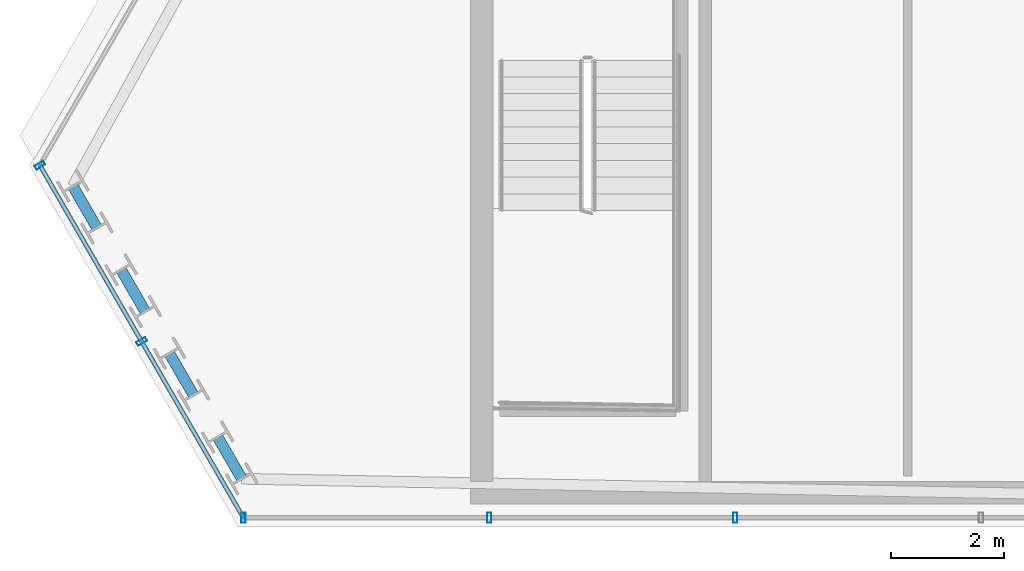
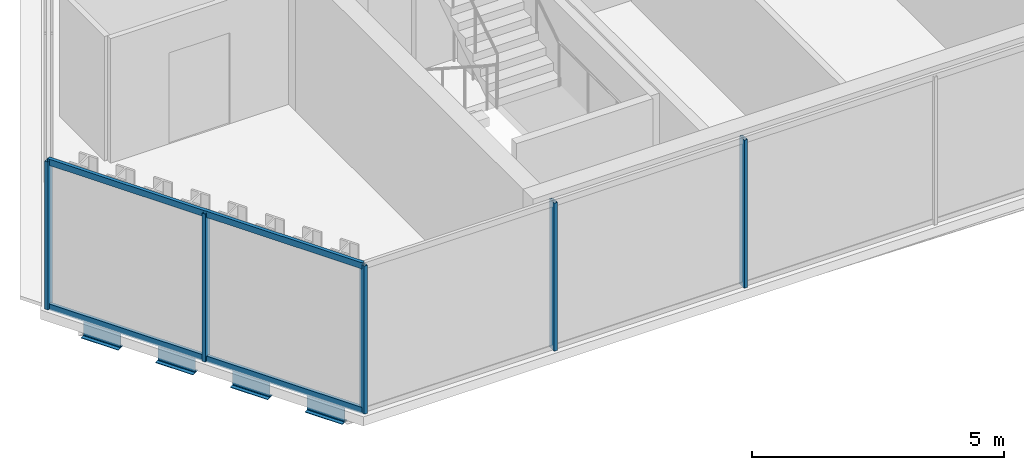
# One storey, part 2 of 29: 7 members, 4 beams, 2 elements without a shape of their own.
"""IFC4 building model written with IfcOpenShell, lengths in metres."""

from ifc_helpers import new_model, si_unit, direction, frame, origin, origin_2d, place, context, subcontext, project, spatial, hollow_rectangle, i_section, extrude, material, layer, layer_set, material_profile, profile_set, type_object, element, aggregate, save


model = new_model("IFC4")

# Units and contexts
model_context = context("Model", 3, precision=1e-05, world=origin(), true_north=direction((0.0, 1.0)))
body_context = subcontext(model_context, "Body", "Model", "MODEL_VIEW")
ifc_project = project(units=[si_unit("LENGTHUNIT", "METRE"), si_unit("AREAUNIT", "SQUARE_METRE"), si_unit("VOLUMEUNIT", "CUBIC_METRE"), si_unit("PLANEANGLEUNIT", "RADIAN"), si_unit("MASSUNIT", "GRAM", prefix="KILO")], contexts=[model_context])

# Site, building, storey
site_placement = place(None, origin())
site = spatial("IfcSite", under=ifc_project, at=site_placement, CompositionType="ELEMENT")
building_placement = place(site_placement, origin())
building = spatial("IfcBuilding", under=site, at=building_placement, Name="Ndaravel Arena Tower", CompositionType="ELEMENT")
storey_placement = place(building_placement, frame((0.0, 0.0, 229.39990234375)))
storey = spatial("IfcBuildingStorey", under=building, at=storey_placement, Name="L55", CompositionType="ELEMENT", Elevation=229.39990234375)

# Beams
ifc_material_1 = material(Name="Steel S355", Category="steel")
ifc_material_profile_1 = material_profile(ifc_material_1, i_section(OverallWidth=0.18994140625, OverallDepth=0.449951171875, WebThickness=0.009521484375, FlangeThickness=0.0146484375, FilletRadius=0.02099609375, at=origin_2d()), Name="IPE 450")
ifc_profile_set_1 = profile_set([ifc_material_profile_1], Name="Steel S355")
beam_type = type_object("IfcBeamType", Name="BM-SPAN-IPE450", PredefinedType="SPANDREL", material=ifc_profile_set_1)
for number, where, z_axis, x_axis, name in (
    (1, (19.41455078125, 11.025146484375, -0.44482421875), (0.5001680112, -0.86592838074, 0.0), (0.86592838074, 0.5001680112, 0.0), "L55 Perimeter Spandrel Beam SP-20"),
    (2, (20.268310546875, 9.54638671875, -0.44482421875), (0.5001680112, -0.86592838074, 0.0), (0.86592838074, 0.5001680112, 0.0), "L55 Perimeter Spandrel Beam SP-22"),
    (3, (21.1220703125, 8.06787109375, -0.44482421875), (0.499829718243, -0.866123693684, 0.0), (0.866123693684, 0.499829718243, 0.0), "L55 Perimeter Spandrel Beam SP-24"),
):
    element("IfcBeam", number, at=place(storey_placement, frame(where, z_axis=z_axis, x_axis=x_axis)), inside=storey, type_object=beam_type, Name=name, PredefinedType="SPANDREL", context=body_context, shape_type="SweptSolid", body=[
        extrude(i_section(OverallWidth=0.18994140625, OverallDepth=0.449951171875, WebThickness=0.009521484375, FlangeThickness=0.0146484375, FilletRadius=0.02099609375, at=origin_2d()), origin(), (0.0, 0.0, 1.0), 0.853759765625),
    ])
beam_placement = place(storey_placement, frame((21.9755859375, 6.589111328125, -0.44482421875), z_axis=(0.500044178772, -0.865999895656, 0.0), x_axis=(0.865999895656, 0.500044178772, 0.0)))
element("IfcBeam", 4, at=beam_placement, inside=storey, type_object=beam_type, Name="L55 Perimeter Spandrel Beam SP-26", PredefinedType="SPANDREL", context=body_context, shape_type="SweptSolid", body=[
    extrude(i_section(OverallWidth=0.18994140625, OverallDepth=0.449951171875, WebThickness=0.009521484375, FlangeThickness=0.0146484375, FilletRadius=0.02099609375, at=origin_2d()), origin(), (0.0, 0.0, 1.0), 0.85400390625),
])

# Curtain wall, members
ifc_material_2 = material(Name="Aluminium", Category="aluminium")
ifc_layer_1 = layer(ifc_material_2, 0.179931640625)
ifc_layer_set_1 = layer_set([ifc_layer_1], Name="Aluminium")
curtain_wall_type_1 = type_object("IfcCurtainWallType", Name="CW-SYS-03", PredefinedType="NOTDEFINED", material=ifc_layer_set_1)
curtain_wall_1_placement = place(storey_placement, origin())
curtain_wall_1 = element("IfcCurtainWall", 5, at=curtain_wall_1_placement, inside=storey, type_object=curtain_wall_type_1, Name="L55 Faceted Crystal Curtain Wall CW-L55-E01", PredefinedType="NOTDEFINED")
ifc_material_3 = material(Name="Aluminium", Category="aluminium")
ifc_material_profile_2 = material_profile(ifc_material_3, hollow_rectangle(XDim=0.074951171875, YDim=0.179931640625, WallThickness=0.00390625, at=origin_2d()), Name="CW MULLION 75x180x4")
ifc_profile_set_2 = profile_set([ifc_material_profile_2], Name="Aluminium")
member_type_1 = type_object("IfcMemberType", Name="MEM-CW-MUL180", PredefinedType="MULLION", material=ifc_profile_set_2)
member_1_placement = place(storey_placement, frame((22.431396484375, 5.159912109375, 0.0), z_axis=(0.0, 0.0, 1.0), x_axis=(1.0, 0.0, 0.0)))
member_1 = element("IfcMember", 6, at=member_1_placement, type_object=member_type_1, Name="CW-L55-E01 Mullion 00", PredefinedType="MULLION", context=body_context, shape_type="SweptSolid", body=[
    extrude(hollow_rectangle(XDim=0.074951171875, YDim=0.179931640625, WallThickness=0.00390625, at=origin_2d()), origin(), (0.0, 0.0, 1.0), 3.580078125),
])
member_2_placement = place(storey_placement, frame((26.77978515625, 5.159912109375, 0.0), z_axis=(0.0, 0.0, 1.0), x_axis=(1.0, 0.0, 0.0)))
member_2 = element("IfcMember", 7, at=member_2_placement, type_object=member_type_1, Name="CW-L55-E01 Mullion 01", PredefinedType="MULLION", context=body_context, shape_type="SweptSolid", body=[
    extrude(hollow_rectangle(XDim=0.074951171875, YDim=0.179931640625, WallThickness=0.00390625, at=origin_2d()), origin(), (0.0, 0.0, 1.0), 3.580078125),
])
member_3_placement = place(storey_placement, frame((31.12841796875, 5.159912109375, 0.0), z_axis=(0.0, 0.0, 1.0), x_axis=(1.0, 0.0, 0.0)))
member_3 = element("IfcMember", 8, at=member_3_placement, type_object=member_type_1, Name="CW-L55-E01 Mullion 02", PredefinedType="MULLION", context=body_context, shape_type="SweptSolid", body=[
    extrude(hollow_rectangle(XDim=0.074951171875, YDim=0.179931640625, WallThickness=0.00390625, at=origin_2d()), origin(), (0.0, 0.0, 1.0), 3.580078125),
])
aggregate(curtain_wall_1, [member_1, member_2, member_3])

ifc_material_4 = material(Name="Aluminium", Category="aluminium")
ifc_layer_2 = layer(ifc_material_4, 0.179931640625)
ifc_layer_set_2 = layer_set([ifc_layer_2], Name="Aluminium")
curtain_wall_type_2 = type_object("IfcCurtainWallType", Name="CW-SYS-02", PredefinedType="NOTDEFINED", material=ifc_layer_set_2)
curtain_wall_2_placement = place(storey_placement, origin())
curtain_wall_2 = element("IfcCurtainWall", 9, at=curtain_wall_2_placement, inside=storey, type_object=curtain_wall_type_2, Name="L55 Faceted Crystal Curtain Wall CW-L55-E06", PredefinedType="NOTDEFINED")
member_4_placement = place(storey_placement, frame((18.831787109375, 11.39501953125, 0.0), z_axis=(0.0, 0.0, 1.0), x_axis=(0.499984884929, -0.866034130299, 0.0)))
member_4 = element("IfcMember", 10, at=member_4_placement, type_object=member_type_1, Name="CW-L55-E06 Mullion 00", PredefinedType="MULLION", context=body_context, shape_type="SweptSolid", body=[
    extrude(hollow_rectangle(XDim=0.074951171875, YDim=0.179931640625, WallThickness=0.00390625, at=origin_2d()), origin(), (0.0, 0.0, 1.0), 3.580078125),
])
member_5_placement = place(storey_placement, frame((20.631591796875, 8.27734375, 0.0), z_axis=(0.0, 0.0, 1.0), x_axis=(0.499984884929, -0.866034130299, 0.0)))
member_5 = element("IfcMember", 11, at=member_5_placement, type_object=member_type_1, Name="CW-L55-E06 Mullion 01", PredefinedType="MULLION", context=body_context, shape_type="SweptSolid", body=[
    extrude(hollow_rectangle(XDim=0.074951171875, YDim=0.179931640625, WallThickness=0.00390625, at=origin_2d()), origin(), (0.0, 0.0, 1.0), 3.580078125),
])
ifc_material_5 = material(Name="Aluminium", Category="aluminium")
ifc_material_profile_3 = material_profile(ifc_material_5, hollow_rectangle(XDim=0.074951171875, YDim=0.14990234375, WallThickness=0.00390625, at=origin_2d()), Name="CW TRANSOM 75x150x4")
ifc_profile_set_3 = profile_set([ifc_material_profile_3], Name="Aluminium")
member_type_2 = type_object("IfcMemberType", Name="MEM-CW-TRN150", PredefinedType="USERDEFINED", material=ifc_profile_set_3)
member_6_placement = place(storey_placement, frame((18.831787109375, 11.39501953125, 0.0400390625), z_axis=(0.499975876118, -0.866039331266, 0.0), x_axis=(0.866039331266, 0.499975876118, 0.0)))
member_6 = element("IfcMember", 12, at=member_6_placement, type_object=member_type_2, Name="CW-L55-E06 Transom 01", ObjectType="TRANSOM", PredefinedType="USERDEFINED", context=body_context, shape_type="SweptSolid", body=[
    extrude(hollow_rectangle(XDim=0.074951171875, YDim=0.14990234375, WallThickness=0.00390625, at=origin_2d()), origin(), (0.0, 0.0, 1.0), 7.199462890625),
])
member_7_placement = place(storey_placement, frame((18.831787109375, 11.39501953125, 3.5400390625), z_axis=(0.499975876118, -0.866039331266, 0.0), x_axis=(0.866039331266, 0.499975876118, 0.0)))
member_7 = element("IfcMember", 13, at=member_7_placement, type_object=member_type_2, Name="CW-L55-E06 Transom 02", ObjectType="TRANSOM", PredefinedType="USERDEFINED", context=body_context, shape_type="SweptSolid", body=[
    extrude(hollow_rectangle(XDim=0.074951171875, YDim=0.14990234375, WallThickness=0.00390625, at=origin_2d()), origin(), (0.0, 0.0, 1.0), 7.199462890625),
])
aggregate(curtain_wall_2, [member_4, member_5, member_6, member_7])

save(model, "model.ifc")
